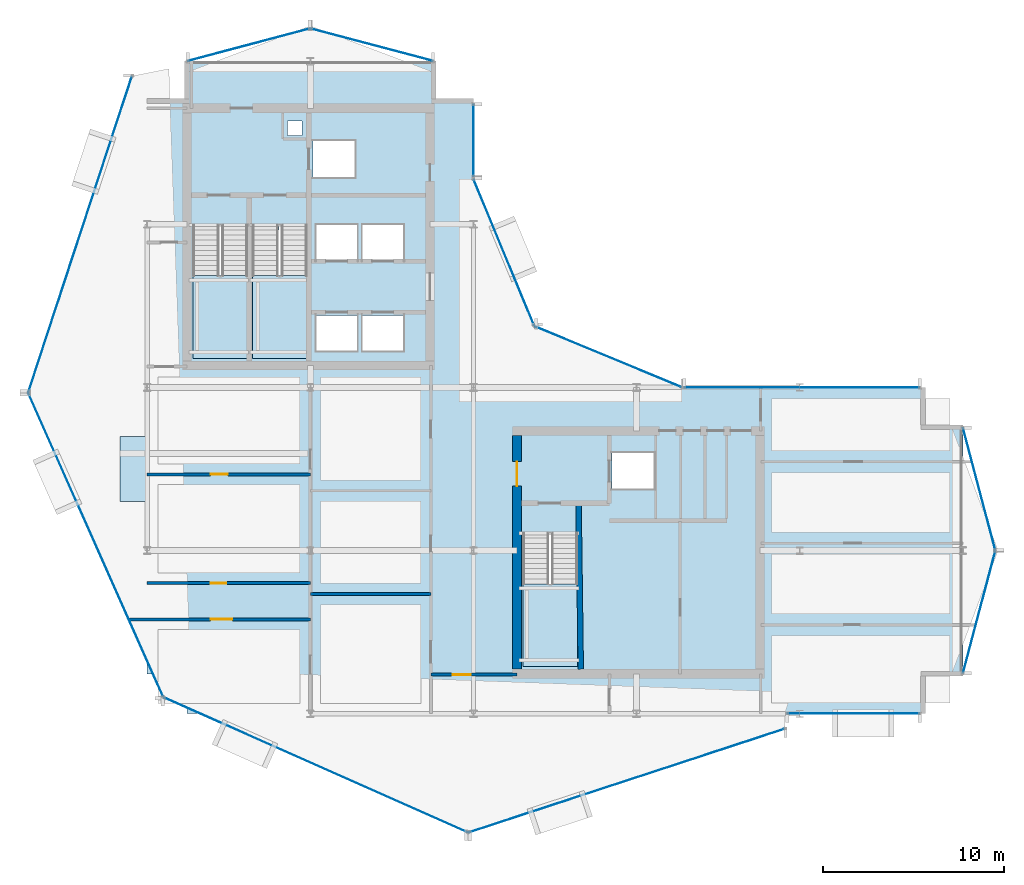
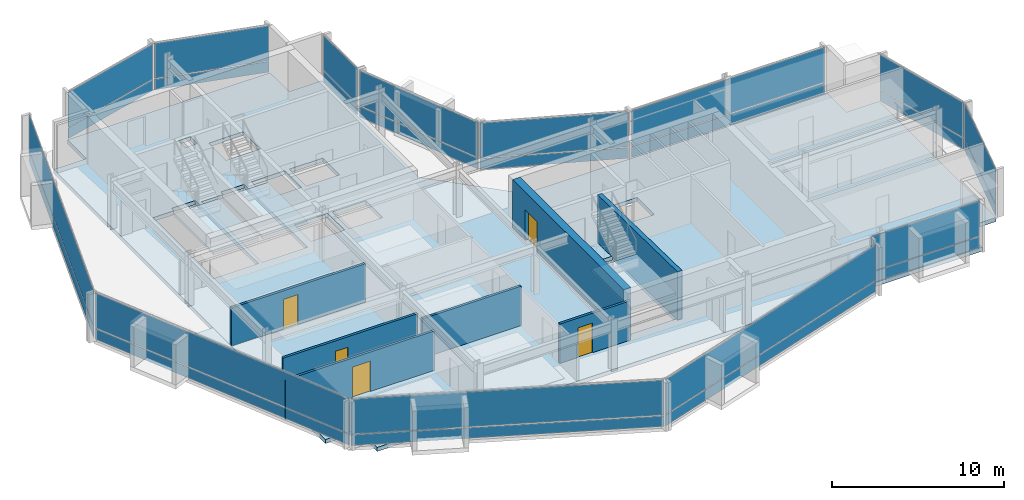
# One storey, part 19 of 28: 26 plates, 7 walls, 5 doors, 5 slabs, 5 openings, 16 elements without a shape of their own.
"""IFC4 building model written with IfcOpenShell, lengths in metres."""

from ifc_helpers import new_model, si_unit, direction, frame, frame_2d, origin, origin_2d, place, context, subcontext, project, spatial, polyline, rectangle, outline, extrude, material, layer, layer_set, type_object, element, fill, aggregate, save


model = new_model("IFC4")

# Units and contexts
model_context = context("Model", 3, precision=1e-05, world=origin(), true_north=direction((0.0, 1.0)))
body_context = subcontext(model_context, "Body", "Model", "MODEL_VIEW")
ifc_project = project(units=[si_unit("LENGTHUNIT", "METRE"), si_unit("AREAUNIT", "SQUARE_METRE"), si_unit("VOLUMEUNIT", "CUBIC_METRE"), si_unit("PLANEANGLEUNIT", "RADIAN"), si_unit("MASSUNIT", "GRAM", prefix="KILO")], contexts=[model_context])

# Site, building, storey
site_placement = place(None, origin())
site = spatial("IfcSite", under=ifc_project, at=site_placement, CompositionType="ELEMENT")
building_placement = place(site_placement, origin())
building = spatial("IfcBuilding", under=site, at=building_placement, Name="Solvaryn Broadcast Tower", CompositionType="ELEMENT")
storey_placement = place(building_placement, frame((0.0, 0.0, 213.60009765625)))
storey = spatial("IfcBuildingStorey", under=building, at=storey_placement, Name="L53", CompositionType="ELEMENT", Elevation=213.60009765625)

# Curtain wall, plates
ifc_material_1 = material(Name="Aluminium and Terracotta Unitised Curtain Wall", Category="masonry")
ifc_layer_1 = layer(ifc_material_1, 0.199951171875)
ifc_layer_set_1 = layer_set([ifc_layer_1], Name="CW-SYS2-LOWMID")
curtain_wall_type = type_object("IfcCurtainWallType", Name="CW-SYS2-LOWMID", PredefinedType="NOTDEFINED", material=ifc_layer_set_1)
curtain_wall_1_placement = place(storey_placement, origin())
curtain_wall_1 = element("IfcCurtainWall", 1, at=curtain_wall_1_placement, inside=storey, type_object=curtain_wall_type, Name="L53 Curtain Wall DR1", PredefinedType="NOTDEFINED")
ifc_material_2 = material(Name="Low-Iron Insulated Vision Glass", Category="glass")
ifc_layer_2 = layer(ifc_material_2, 0.035888671875)
ifc_layer_set_2 = layer_set([ifc_layer_2], Name="CW-PNL-VISION")
plate_type = type_object("IfcPlateType", Name="CW-PNL-VISION", PredefinedType="CURTAIN_PANEL", material=ifc_layer_set_2)
plate_1_placement = place(storey_placement, frame((5.298095703125, 35.444091796875, 0.06005859375), z_axis=(0.0, 0.0, 1.0), x_axis=(-0.311558717623, -0.950226902099, 0.0)))
plate_1 = element("IfcPlate", 2, at=plate_1_placement, type_object=plate_type, Name="CWS2 panel 1.1", PredefinedType="CURTAIN_PANEL", context=body_context, shape_type="SweptSolid", body=[
    extrude(rectangle(XDim=18.271484375, YDim=0.028076171875, at=origin_2d()), origin(), (0.0, 0.0, 1.0), 0.760009765625),
])
plate_2_placement = place(storey_placement, frame((5.298095703125, 35.444091796875, 0.8798828125), z_axis=(0.0, 0.0, 1.0), x_axis=(-0.311558717623, -0.950226902099, 0.0)))
plate_2 = element("IfcPlate", 3, at=plate_2_placement, type_object=plate_type, Name="CWS2 panel 1.2", PredefinedType="CURTAIN_PANEL", context=body_context, shape_type="SweptSolid", body=[
    extrude(rectangle(XDim=18.271484375, YDim=0.028076171875, at=origin_2d()), origin(), (0.0, 0.0, 1.0), 2.47998046875),
])
aggregate(curtain_wall_1, [plate_1, plate_2])

curtain_wall_2_placement = place(storey_placement, origin())
curtain_wall_2 = element("IfcCurtainWall", 4, at=curtain_wall_2_placement, inside=storey, type_object=curtain_wall_type, Name="L53 Curtain Wall DR2", PredefinedType="NOTDEFINED")
plate_3_placement = place(storey_placement, frame((6.16552734375, 18.302001953125, 0.06005859375), z_axis=(0.0, 0.0, 1.0), x_axis=(0.405901337237, -0.913916902365, 0.0)))
plate_3 = element("IfcPlate", 5, at=plate_3_placement, type_object=plate_type, Name="CWS2 panel 1.1", PredefinedType="CURTAIN_PANEL", context=body_context, shape_type="SweptSolid", body=[
    extrude(rectangle(XDim=18.271240234375, YDim=0.028076171875, at=origin_2d()), origin(), (0.0, 0.0, 1.0), 0.760009765625),
])
plate_4_placement = place(storey_placement, frame((6.16552734375, 18.302001953125, 0.8798828125), z_axis=(0.0, 0.0, 1.0), x_axis=(0.405901337237, -0.913916902365, 0.0)))
plate_4 = element("IfcPlate", 6, at=plate_4_placement, type_object=plate_type, Name="CWS2 panel 1.2", PredefinedType="CURTAIN_PANEL", context=body_context, shape_type="SweptSolid", body=[
    extrude(rectangle(XDim=18.271240234375, YDim=0.028076171875, at=origin_2d()), origin(), (0.0, 0.0, 1.0), 2.47998046875),
])
aggregate(curtain_wall_2, [plate_3, plate_4])

curtain_wall_3_placement = place(storey_placement, origin())
curtain_wall_3 = element("IfcCurtainWall", 7, at=curtain_wall_3_placement, inside=storey, type_object=curtain_wall_type, Name="L53 Curtain Wall DR3", PredefinedType="NOTDEFINED")
plate_5_placement = place(storey_placement, frame((18.302001953125, 6.16552734375, 0.06005859375), z_axis=(0.0, 0.0, 1.0), x_axis=(0.913916902365, -0.405901337237, 0.0)))
plate_5 = element("IfcPlate", 8, at=plate_5_placement, type_object=plate_type, Name="CWS2 panel 1.1", PredefinedType="CURTAIN_PANEL", context=body_context, shape_type="SweptSolid", body=[
    extrude(rectangle(XDim=18.271240234375, YDim=0.028076171875, at=origin_2d()), origin(), (0.0, 0.0, 1.0), 0.760009765625),
])
plate_6_placement = place(storey_placement, frame((18.302001953125, 6.16552734375, 0.8798828125), z_axis=(0.0, 0.0, 1.0), x_axis=(0.913916902365, -0.405901337237, 0.0)))
plate_6 = element("IfcPlate", 9, at=plate_6_placement, type_object=plate_type, Name="CWS2 panel 1.2", PredefinedType="CURTAIN_PANEL", context=body_context, shape_type="SweptSolid", body=[
    extrude(rectangle(XDim=18.271240234375, YDim=0.028076171875, at=origin_2d()), origin(), (0.0, 0.0, 1.0), 2.47998046875),
])
aggregate(curtain_wall_3, [plate_5, plate_6])

curtain_wall_4_placement = place(storey_placement, origin())
curtain_wall_4 = element("IfcCurtainWall", 10, at=curtain_wall_4_placement, inside=storey, type_object=curtain_wall_type, Name="L53 Curtain Wall DR4", PredefinedType="NOTDEFINED")
plate_7_placement = place(storey_placement, frame((35.444091796875, 5.298095703125, 0.06005859375), z_axis=(0.0, 0.0, 1.0), x_axis=(0.950226902099, 0.311558717623, 0.0)))
plate_7 = element("IfcPlate", 11, at=plate_7_placement, type_object=plate_type, Name="CWS2 panel 1.1", PredefinedType="CURTAIN_PANEL", context=body_context, shape_type="SweptSolid", body=[
    extrude(rectangle(XDim=18.271484375, YDim=0.028076171875, at=origin_2d()), origin(), (0.0, 0.0, 1.0), 0.760009765625),
])
plate_8_placement = place(storey_placement, frame((35.444091796875, 5.298095703125, 0.8798828125), z_axis=(0.0, 0.0, 1.0), x_axis=(0.950226902099, 0.311558717623, 0.0)))
plate_8 = element("IfcPlate", 12, at=plate_8_placement, type_object=plate_type, Name="CWS2 panel 1.2", PredefinedType="CURTAIN_PANEL", context=body_context, shape_type="SweptSolid", body=[
    extrude(rectangle(XDim=18.271484375, YDim=0.028076171875, at=origin_2d()), origin(), (0.0, 0.0, 1.0), 2.47998046875),
])
aggregate(curtain_wall_4, [plate_7, plate_8])

curtain_wall_5_placement = place(storey_placement, origin())
curtain_wall_5 = element("IfcCurtainWall", 13, at=curtain_wall_5_placement, inside=storey, type_object=curtain_wall_type, Name="L53 Curtain Wall IV", PredefinedType="NOTDEFINED")
plate_9_placement = place(storey_placement, frame((27.0, 40.625, 0.06005859375), z_axis=(0.0, 0.0, 1.0), x_axis=(0.0, -1.0, 0.0)))
plate_9 = element("IfcPlate", 14, at=plate_9_placement, type_object=plate_type, Name="CWS2 panel 1.1", PredefinedType="CURTAIN_PANEL", context=body_context, shape_type="SweptSolid", body=[
    extrude(rectangle(XDim=3.929931640625, YDim=0.028076171875, at=origin_2d()), origin(), (0.0, 0.0, 1.0), 0.760009765625),
])
plate_10_placement = place(storey_placement, frame((27.0, 40.625, 0.8798828125), z_axis=(0.0, 0.0, 1.0), x_axis=(0.0, -1.0, 0.0)))
plate_10 = element("IfcPlate", 15, at=plate_10_placement, type_object=plate_type, Name="CWS2 panel 1.2", PredefinedType="CURTAIN_PANEL", context=body_context, shape_type="SweptSolid", body=[
    extrude(rectangle(XDim=3.929931640625, YDim=0.028076171875, at=origin_2d()), origin(), (0.0, 0.0, 1.0), 2.47998046875),
])
aggregate(curtain_wall_5, [plate_9, plate_10])

curtain_wall_6_placement = place(storey_placement, origin())
curtain_wall_6 = element("IfcCurtainWall", 16, at=curtain_wall_6_placement, inside=storey, type_object=curtain_wall_type, Name="L53 Curtain Wall CN1", PredefinedType="NOTDEFINED")
plate_11_placement = place(storey_placement, frame((34.43408203125, 28.68408203125, 0.06005859375), z_axis=(0.0, 0.0, 1.0), x_axis=(-0.923894983957, 0.382646127145, 0.0)))
plate_11 = element("IfcPlate", 17, at=plate_11_placement, type_object=plate_type, Name="CWS2 panel 1.1", PredefinedType="CURTAIN_PANEL", context=body_context, shape_type="SweptSolid", body=[
    extrude(rectangle(XDim=8.681884765625, YDim=0.028076171875, at=origin_2d()), origin(), (0.0, 0.0, 1.0), 0.760009765625),
])
plate_12_placement = place(storey_placement, frame((34.43408203125, 28.68408203125, 0.8798828125), z_axis=(0.0, 0.0, 1.0), x_axis=(-0.923894983957, 0.382646127145, 0.0)))
plate_12 = element("IfcPlate", 18, at=plate_12_placement, type_object=plate_type, Name="CWS2 panel 1.2", PredefinedType="CURTAIN_PANEL", context=body_context, shape_type="SweptSolid", body=[
    extrude(rectangle(XDim=8.681884765625, YDim=0.028076171875, at=origin_2d()), origin(), (0.0, 0.0, 1.0), 2.47998046875),
])
aggregate(curtain_wall_6, [plate_11, plate_12])

curtain_wall_7_placement = place(storey_placement, origin())
curtain_wall_7 = element("IfcCurtainWall", 19, at=curtain_wall_7_placement, inside=storey, type_object=curtain_wall_type, Name="L53 Curtain Wall CN2", PredefinedType="NOTDEFINED")
plate_13_placement = place(storey_placement, frame((28.68408203125, 34.43408203125, 0.06005859375), z_axis=(0.0, 0.0, 1.0), x_axis=(-0.382646127145, 0.923894983957, 0.0)))
plate_13 = element("IfcPlate", 20, at=plate_13_placement, type_object=plate_type, Name="CWS2 panel 1.1", PredefinedType="CURTAIN_PANEL", context=body_context, shape_type="SweptSolid", body=[
    extrude(rectangle(XDim=8.681884765625, YDim=0.028076171875, at=origin_2d()), origin(), (0.0, 0.0, 1.0), 0.760009765625),
])
plate_14_placement = place(storey_placement, frame((28.68408203125, 34.43408203125, 0.8798828125), z_axis=(0.0, 0.0, 1.0), x_axis=(-0.382646127145, 0.923894983957, 0.0)))
plate_14 = element("IfcPlate", 21, at=plate_14_placement, type_object=plate_type, Name="CWS2 panel 1.2", PredefinedType="CURTAIN_PANEL", context=body_context, shape_type="SweptSolid", body=[
    extrude(rectangle(XDim=8.681884765625, YDim=0.028076171875, at=origin_2d()), origin(), (0.0, 0.0, 1.0), 2.47998046875),
])
aggregate(curtain_wall_7, [plate_13, plate_14])

curtain_wall_8_placement = place(storey_placement, origin())
curtain_wall_8 = element("IfcCurtainWall", 22, at=curtain_wall_8_placement, inside=storey, type_object=curtain_wall_type, Name="L53 Curtain Wall S2", PredefinedType="NOTDEFINED")
plate_15_placement = place(storey_placement, frame((47.966064453125, 9.0, 0.06005859375), z_axis=(0.0, 0.0, 1.0), x_axis=(1.0, 0.0, 0.0)))
plate_15 = element("IfcPlate", 23, at=plate_15_placement, type_object=plate_type, Name="CWS2 panel 1.1", PredefinedType="CURTAIN_PANEL", context=body_context, shape_type="SweptSolid", body=[
    extrude(rectangle(XDim=7.248046875, YDim=0.028076171875, at=origin_2d()), origin(), (0.0, 0.0, 1.0), 0.760009765625),
])
plate_16_placement = place(storey_placement, frame((47.966064453125, 9.0, 0.8798828125), z_axis=(0.0, 0.0, 1.0), x_axis=(1.0, 0.0, 0.0)))
plate_16 = element("IfcPlate", 24, at=plate_16_placement, type_object=plate_type, Name="CWS2 panel 1.2", PredefinedType="CURTAIN_PANEL", context=body_context, shape_type="SweptSolid", body=[
    extrude(rectangle(XDim=7.248046875, YDim=0.028076171875, at=origin_2d()), origin(), (0.0, 0.0, 1.0), 2.47998046875),
])
aggregate(curtain_wall_8, [plate_15, plate_16])

curtain_wall_9_placement = place(storey_placement, origin())
curtain_wall_9 = element("IfcCurtainWall", 25, at=curtain_wall_9_placement, inside=storey, type_object=curtain_wall_type, Name="L53 Curtain Wall NT1", PredefinedType="NOTDEFINED")
plate_17_placement = place(storey_placement, frame((21.39990234375, 45.89990234375, 0.06005859375), z_axis=(0.0, 0.0, 1.0), x_axis=(-0.966705227863, 0.25589256031, 0.0)))
plate_17 = element("IfcPlate", 26, at=plate_17_placement, type_object=plate_type, Name="CWS2 panel 1.1", PredefinedType="CURTAIN_PANEL", context=body_context, shape_type="SweptSolid", body=[
    extrude(rectangle(XDim=6.914306640625, YDim=0.028076171875, at=origin_2d()), origin(), (0.0, 0.0, 1.0), 0.760009765625),
])
plate_18_placement = place(storey_placement, frame((21.39990234375, 45.89990234375, 0.8798828125), z_axis=(0.0, 0.0, 1.0), x_axis=(-0.966705227863, 0.25589256031, 0.0)))
plate_18 = element("IfcPlate", 27, at=plate_18_placement, type_object=plate_type, Name="CWS2 panel 1.2", PredefinedType="CURTAIN_PANEL", context=body_context, shape_type="SweptSolid", body=[
    extrude(rectangle(XDim=6.914306640625, YDim=0.028076171875, at=origin_2d()), origin(), (0.0, 0.0, 1.0), 2.47998046875),
])
aggregate(curtain_wall_9, [plate_17, plate_18])

curtain_wall_10_placement = place(storey_placement, origin())
curtain_wall_10 = element("IfcCurtainWall", 28, at=curtain_wall_10_placement, inside=storey, type_object=curtain_wall_type, Name="L53 Curtain Wall NT2", PredefinedType="NOTDEFINED")
plate_19_placement = place(storey_placement, frame((14.60009765625, 45.89990234375, 0.06005859375), z_axis=(0.0, 0.0, 1.0), x_axis=(-0.966705227863, -0.25589256031, 0.0)))
plate_19 = element("IfcPlate", 29, at=plate_19_placement, type_object=plate_type, Name="CWS2 panel 1.1", PredefinedType="CURTAIN_PANEL", context=body_context, shape_type="SweptSolid", body=[
    extrude(rectangle(XDim=6.914306640625, YDim=0.028076171875, at=origin_2d()), origin(), (0.0, 0.0, 1.0), 0.760009765625),
])
plate_20_placement = place(storey_placement, frame((14.60009765625, 45.89990234375, 0.8798828125), z_axis=(0.0, 0.0, 1.0), x_axis=(-0.966705227863, -0.25589256031, 0.0)))
plate_20 = element("IfcPlate", 30, at=plate_20_placement, type_object=plate_type, Name="CWS2 panel 1.2", PredefinedType="CURTAIN_PANEL", context=body_context, shape_type="SweptSolid", body=[
    extrude(rectangle(XDim=6.914306640625, YDim=0.028076171875, at=origin_2d()), origin(), (0.0, 0.0, 1.0), 2.47998046875),
])
aggregate(curtain_wall_10, [plate_19, plate_20])

curtain_wall_11_placement = place(storey_placement, origin())
curtain_wall_11 = element("IfcCurtainWall", 31, at=curtain_wall_11_placement, inside=storey, type_object=curtain_wall_type, Name="L53 Curtain Wall ET1", PredefinedType="NOTDEFINED")
plate_21_placement = place(storey_placement, frame((54.89990234375, 21.39990234375, 0.06005859375), z_axis=(0.0, 0.0, 1.0), x_axis=(0.25589256031, -0.966705227863, 0.0)))
plate_21 = element("IfcPlate", 32, at=plate_21_placement, type_object=plate_type, Name="CWS2 panel 1.1", PredefinedType="CURTAIN_PANEL", context=body_context, shape_type="SweptSolid", body=[
    extrude(rectangle(XDim=6.914306640625, YDim=0.028076171875, at=origin_2d()), origin(), (0.0, 0.0, 1.0), 0.760009765625),
])
plate_22_placement = place(storey_placement, frame((54.89990234375, 21.39990234375, 0.8798828125), z_axis=(0.0, 0.0, 1.0), x_axis=(0.25589256031, -0.966705227863, 0.0)))
plate_22 = element("IfcPlate", 33, at=plate_22_placement, type_object=plate_type, Name="CWS2 panel 1.2", PredefinedType="CURTAIN_PANEL", context=body_context, shape_type="SweptSolid", body=[
    extrude(rectangle(XDim=6.914306640625, YDim=0.028076171875, at=origin_2d()), origin(), (0.0, 0.0, 1.0), 2.47998046875),
])
aggregate(curtain_wall_11, [plate_21, plate_22])

curtain_wall_12_placement = place(storey_placement, origin())
curtain_wall_12 = element("IfcCurtainWall", 34, at=curtain_wall_12_placement, inside=storey, type_object=curtain_wall_type, Name="L53 Curtain Wall ET2", PredefinedType="NOTDEFINED")
plate_23_placement = place(storey_placement, frame((54.89990234375, 14.60009765625, 0.06005859375), z_axis=(0.0, 0.0, 1.0), x_axis=(-0.25589256031, -0.966705227863, 0.0)))
plate_23 = element("IfcPlate", 35, at=plate_23_placement, type_object=plate_type, Name="CWS2 panel 1.1", PredefinedType="CURTAIN_PANEL", context=body_context, shape_type="SweptSolid", body=[
    extrude(rectangle(XDim=6.914306640625, YDim=0.028076171875, at=origin_2d()), origin(), (0.0, 0.0, 1.0), 0.760009765625),
])
plate_24_placement = place(storey_placement, frame((54.89990234375, 14.60009765625, 0.8798828125), z_axis=(0.0, 0.0, 1.0), x_axis=(-0.25589256031, -0.966705227863, 0.0)))
plate_24 = element("IfcPlate", 36, at=plate_24_placement, type_object=plate_type, Name="CWS2 panel 1.2", PredefinedType="CURTAIN_PANEL", context=body_context, shape_type="SweptSolid", body=[
    extrude(rectangle(XDim=6.914306640625, YDim=0.028076171875, at=origin_2d()), origin(), (0.0, 0.0, 1.0), 2.47998046875),
])
aggregate(curtain_wall_12, [plate_23, plate_24])

curtain_wall_13_placement = place(storey_placement, origin())
curtain_wall_13 = element("IfcCurtainWall", 37, at=curtain_wall_13_placement, inside=storey, type_object=curtain_wall_type, Name="L53 Curtain Wall IH", PredefinedType="NOTDEFINED")
plate_25_placement = place(storey_placement, frame((45.125, 27.0, 0.06005859375), z_axis=(0.0, 0.0, 1.0), x_axis=(1.0, 0.0, 0.0)))
plate_25 = element("IfcPlate", 38, at=plate_25_placement, type_object=plate_type, Name="CWS2 panel 1.1", PredefinedType="CURTAIN_PANEL", context=body_context, shape_type="SweptSolid", body=[
    extrude(rectangle(XDim=12.929931640625, YDim=0.028076171875, at=origin_2d()), origin(), (0.0, 0.0, 1.0), 0.760009765625),
])
plate_26_placement = place(storey_placement, frame((45.125, 27.0, 0.8798828125), z_axis=(0.0, 0.0, 1.0), x_axis=(1.0, 0.0, 0.0)))
plate_26 = element("IfcPlate", 39, at=plate_26_placement, type_object=plate_type, Name="CWS2 panel 1.2", PredefinedType="CURTAIN_PANEL", context=body_context, shape_type="SweptSolid", body=[
    extrude(rectangle(XDim=12.929931640625, YDim=0.028076171875, at=origin_2d()), origin(), (0.0, 0.0, 1.0), 2.47998046875),
])
aggregate(curtain_wall_13, [plate_25, plate_26])

# Slab
ifc_material_3 = material(Name="Concrete f'c 60 MPa", Category="concrete")
ifc_layer_3 = layer(ifc_material_3, 0.2099609375)
ifc_layer_set_3 = layer_set([ifc_layer_3], Name="SL-BAYBOX-210")
slab_type_1 = type_object("IfcSlabType", Name="SL-BAYBOX-210", PredefinedType="FLOOR", material=ifc_layer_set_3)
slab_1_placement = place(storey_placement, frame((0.0, 0.0, -0.210205078125)))
element("IfcSlab", 40, at=slab_1_placement, inside=storey, type_object=slab_type_1, Name="L53 Projecting Bay-Box Slab 1", PredefinedType="FLOOR", context=body_context, shape_type="SweptSolid", body=[
    extrude(outline(polyline([(7.5, 20.699951171875), (9.0, 20.699951171875), (9.0, 24.300048828125), (7.5, 24.300048828125), (7.5, 20.699951171875)])), origin(), (0.0, 0.0, 1.0), 0.210205078125),
])

# Stair, slab
ifc_material_4 = material(Name="Concrete f'c 60 MPa", Category="concrete")
stair_type = type_object("IfcStairType", Name="ST-CORE", PredefinedType="HALF_TURN_STAIR", material=ifc_material_4)
stair_1_placement = place(storey_placement, origin())
stair_1 = element("IfcStair", 41, at=stair_1_placement, inside=storey, type_object=stair_type, Name="L53 ST1", PredefinedType="HALF_TURN_STAIR")
ifc_material_5 = material(Name="Concrete f'c 60 MPa", Category="concrete")
ifc_layer_4 = layer(ifc_material_5, 0.199951171875)
ifc_layer_set_4 = layer_set([ifc_layer_4], Name="SL-LANDING-200")
slab_type_2 = type_object("IfcSlabType", Name="SL-LANDING-200", PredefinedType="LANDING", material=ifc_layer_set_4)
slab_2_placement = place(storey_placement, frame((0.0, 0.0, 1.64990234375)))
slab_2 = element("IfcSlab", 42, at=slab_2_placement, type_object=slab_type_2, Name="ST1 landing 1", PredefinedType="LANDING", context=body_context, shape_type="SweptSolid", body=[
    extrude(outline(polyline([(11.52001953125, 33.159912109375), (11.52001953125, 28.60009765625), (14.550048828125, 28.60009765625), (14.550048828125, 33.159912109375), (11.52001953125, 33.159912109375)])), origin(), (0.0, 0.0, 1.0), 0.199951171875),
])
aggregate(stair_1, [slab_2])

stair_2_placement = place(storey_placement, origin())
stair_2 = element("IfcStair", 43, at=stair_2_placement, inside=storey, type_object=stair_type, Name="L53 ST2", PredefinedType="HALF_TURN_STAIR")
slab_3_placement = place(storey_placement, frame((0.0, 0.0, 1.64990234375)))
slab_3 = element("IfcSlab", 44, at=slab_3_placement, type_object=slab_type_2, Name="ST2 landing 1", PredefinedType="LANDING", context=body_context, shape_type="SweptSolid", body=[
    extrude(outline(polyline([(14.800048828125, 33.159912109375), (14.800048828125, 28.60009765625), (17.830078125, 28.60009765625), (17.830078125, 33.159912109375), (14.800048828125, 33.159912109375)])), origin(), (0.0, 0.0, 1.0), 0.199951171875),
])
aggregate(stair_2, [slab_3])

stair_3_placement = place(storey_placement, origin())
stair_3 = element("IfcStair", 45, at=stair_3_placement, inside=storey, type_object=stair_type, Name="L53 ST3", PredefinedType="HALF_TURN_STAIR")
slab_4_placement = place(storey_placement, frame((0.0, 0.0, 1.64990234375)))
slab_4 = element("IfcSlab", 46, at=slab_4_placement, type_object=slab_type_2, Name="ST3 landing 1", PredefinedType="LANDING", context=body_context, shape_type="SweptSolid", body=[
    extrude(outline(polyline([(29.719970703125, 16.159912109375), (29.719970703125, 11.60009765625), (32.75, 11.60009765625), (32.75, 16.159912109375), (29.719970703125, 16.159912109375)])), origin(), (0.0, 0.0, 1.0), 0.199951171875),
])
aggregate(stair_3, [slab_4])

# Slab
ifc_material_6 = material(Name="Concrete f'c 60 MPa", Category="concrete")
ifc_layer_5 = layer(ifc_material_6, 0.280029296875)
ifc_layer_set_5 = layer_set([ifc_layer_5], Name="SL-TWR-280")
slab_type_3 = type_object("IfcSlabType", Name="SL-TWR-280", PredefinedType="FLOOR", material=ifc_layer_set_5)
slab_5_placement = place(storey_placement, frame((0.0, 0.0, -0.280029296875)))
element("IfcSlab", 47, at=slab_5_placement, inside=storey, type_object=slab_type_3, Name="L53 Structural Floor Slab", PredefinedType="FLOOR", context=body_context, shape_type="SweptSolid", body=[
    extrude(outline(polyline([(11.199951171875, 9.0), (51.800048828125, 9.0), (51.800048828125, 11.199951171875), (54.0, 11.199951171875), (54.0, 24.800048828125), (51.800048828125, 24.800048828125), (51.800048828125, 27.0), (31.5, 27.0), (27.0, 31.5), (27.0, 42.800048828125), (24.800048828125, 42.800048828125), (24.800048828125, 45.0), (11.199951171875, 45.0), (11.199951171875, 42.800048828125), (9.0, 42.800048828125), (9.0, 11.199951171875), (11.199951171875, 11.199951171875), (11.199951171875, 9.0)]), holes=[polyline([(11.52001953125, 28.60009765625), (14.550048828125, 28.60009765625), (14.550048828125, 35.9599609375), (12.97998046875, 35.9599609375), (12.97998046875, 35.679931640625), (11.52001953125, 35.679931640625), (11.52001953125, 28.60009765625)]), polyline([(14.800048828125, 28.60009765625), (17.830078125, 28.60009765625), (17.830078125, 35.9599609375), (16.260009765625, 35.9599609375), (16.260009765625, 35.679931640625), (14.800048828125, 35.679931640625), (14.800048828125, 28.60009765625)]), polyline([(29.719970703125, 11.60009765625), (32.75, 11.60009765625), (32.75, 18.9599609375), (31.179931640625, 18.9599609375), (31.179931640625, 18.679931640625), (29.719970703125, 18.679931640625), (29.719970703125, 11.60009765625)]), polyline([(18.14990234375, 38.60009765625), (20.449951171875, 38.60009765625), (20.449951171875, 40.60009765625), (18.14990234375, 40.60009765625), (18.14990234375, 38.60009765625)]), polyline([(18.324951171875, 29.02490234375), (20.574951171875, 29.02490234375), (20.574951171875, 30.97509765625), (18.324951171875, 30.97509765625), (18.324951171875, 29.02490234375)]), polyline([(20.875, 29.02490234375), (23.125, 29.02490234375), (23.125, 30.97509765625), (20.875, 30.97509765625), (20.875, 29.02490234375)]), polyline([(18.324951171875, 34.02490234375), (20.574951171875, 34.02490234375), (20.574951171875, 35.97509765625), (18.324951171875, 35.97509765625), (18.324951171875, 34.02490234375)]), polyline([(20.875, 34.02490234375), (23.125, 34.02490234375), (23.125, 35.97509765625), (20.875, 35.97509765625), (20.875, 34.02490234375)]), polyline([(34.64990234375, 21.39990234375), (36.949951171875, 21.39990234375), (36.949951171875, 23.39990234375), (34.64990234375, 23.39990234375), (34.64990234375, 21.39990234375)]), polyline([(16.75, 40.89990234375), (17.550048828125, 40.89990234375), (17.550048828125, 41.699951171875), (16.75, 41.699951171875), (16.75, 40.89990234375)])]), origin(), (0.0, 0.0, 1.0), 0.280029296875),
])

# Wall, opening, door
ifc_material_7 = material(Name="Concrete f'c 70 MPa", Category="concrete")
ifc_layer_6 = layer(ifc_material_7, 0.5)
ifc_layer_set_6 = layer_set([ifc_layer_6], Name="CW-SHEAR-500")
wall_type_1 = type_object("IfcWallType", Name="CW-SHEAR-500", PredefinedType="SHEAR", material=ifc_layer_set_6)
wall_1_placement = place(storey_placement, frame((29.39990234375, 24.35009765625, 0.0), z_axis=(0.0, 0.0, 1.0), x_axis=(0.0, -1.0, 0.0)))
wall_1 = element("IfcWall", 48, at=wall_1_placement, inside=storey, type_object=wall_type_1, Name="L53 East Core West Shear Wall", PredefinedType="SHEAR", context=body_context, shape_type="SweptSolid", body=[
    extrude(rectangle(XDim=12.900146484375, YDim=0.5, at=frame_2d((6.4501953125, 0.0))), origin(), (0.0, 0.0, 1.0), 3.419921875),
])
opening_1_placement = place(wall_1_placement, frame((1.449951171875, 0.0, 0.0)))
opening_1 = element("IfcOpeningElement", 49, at=opening_1_placement, cuts=wall_1, Name="Opening FD90B", PredefinedType="OPENING", context=body_context, shape_type="SweptSolid", body=[
    extrude(rectangle(XDim=1.35009765625, YDim=2.14990234375, at=frame_2d((0.675048828125, 1.074951171875))), frame((0.0, 0.260009765625, 0.0), z_axis=(0.0, -1.0, 0.0), x_axis=(1.0, 0.0, 0.0)), (0.0, 0.0, 1.0), 0.52001953125),
])
ifc_material_8 = material(Name="Flush Acoustic Steel and Timber Door Assembly", Category="steel")
door_type_1 = type_object("IfcDoorType", Name="FD90-LOBBY-1350X2150", OperationType="NOTDEFINED", PredefinedType="DOOR", material=ifc_material_8)
door_1_placement = place(opening_1_placement, origin())
door_1 = element("IfcDoor", 50, at=door_1_placement, inside=storey, type_object=door_type_1, Name="L53 East FSAE Lobby Door", OperationType="SINGLE_SWING_RIGHT", OverallHeight=2.14990234375, OverallWidth=1.35009765625, PredefinedType="DOOR", context=body_context, shape_type="SweptSolid", body=[
    extrude(rectangle(XDim=1.35009765625, YDim=2.14990234375, at=frame_2d((0.675048828125, 1.074951171875))), frame((0.0, 0.02490234375, 0.0), z_axis=(0.0, -1.0, 0.0), x_axis=(1.0, 0.0, 0.0)), (0.0, 0.0, 1.0), 0.050048828125),
])
fill(opening_1, door_1)

# Wall
ifc_material_9 = material(Name="Metal-Stud Gypsum Office Partition")
ifc_layer_7 = layer(ifc_material_9, 0.159912109375)
ifc_layer_set_7 = layer_set([ifc_layer_7], Name="IW-PART-160")
wall_type_2 = type_object("IfcWallType", Name="IW-PART-160", PredefinedType="PARTITIONING", material=ifc_layer_set_7)
wall_2_placement = place(storey_placement, frame((18.0, 15.60009765625, 0.0), z_axis=(0.0, 0.0, 1.0), x_axis=(1.0, 0.0, 0.0)))
element("IfcWall", 51, at=wall_2_placement, inside=storey, type_object=wall_type_2, Name="L53 Interior Partition IW-L53-SWE-H1", PredefinedType="PARTITIONING", context=body_context, shape_type="SweptSolid", body=[
    extrude(rectangle(XDim=6.64990234375, YDim=0.159912109375, at=frame_2d((3.324951171875, 0.0))), origin(), (0.0, 0.0, 1.0), 2.788818359375),
])

# Wall, opening, door
wall_3_placement = place(storey_placement, frame((7.987060546875, 14.199951171875, 0.0), z_axis=(0.0, 0.0, 1.0), x_axis=(1.0, 0.0, 0.0)))
wall_3 = element("IfcWall", 52, at=wall_3_placement, inside=storey, type_object=wall_type_2, Name="L53 Interior Partition IW-L53-SWW-H1", PredefinedType="PARTITIONING", context=body_context, shape_type="SweptSolid", body=[
    extrude(rectangle(XDim=10.012939453125, YDim=0.159912109375, at=frame_2d((5.00634765625, 0.0))), origin(), (0.0, 0.0, 1.0), 2.7919921875),
])
opening_2_placement = place(wall_3_placement, frame((4.512939453125, 0.0, 0.0)))
opening_2 = element("IfcOpeningElement", 53, at=opening_2_placement, cuts=wall_3, Name="Opening ID04", PredefinedType="OPENING", context=body_context, shape_type="SweptSolid", body=[
    extrude(rectangle(XDim=1.199951171875, YDim=2.14990234375, at=frame_2d((0.60009765625, 1.074951171875))), frame((0.0, 0.090087890625, 0.0), z_axis=(0.0, -1.0, 0.0), x_axis=(1.0, 0.0, 0.0)), (0.0, 0.0, 1.0), 0.179931640625),
])
ifc_material_10 = material(Name="Flush Acoustic Steel and Timber Door Assembly", Category="steel")
door_type_2 = type_object("IfcDoorType", Name="ID-04-1200X2150", OperationType="NOTDEFINED", PredefinedType="DOOR", material=ifc_material_10)
door_2_placement = place(opening_2_placement, origin())
door_2 = element("IfcDoor", 54, at=door_2_placement, inside=storey, type_object=door_type_2, Name="L53 Door DR-L53-SWW-1", OperationType="SINGLE_SWING_RIGHT", OverallHeight=2.14990234375, OverallWidth=1.199951171875, PredefinedType="DOOR", context=body_context, shape_type="SweptSolid", body=[
    extrude(rectangle(XDim=1.199951171875, YDim=2.14990234375, at=frame_2d((0.60009765625, 1.074951171875))), frame((0.0, 0.02490234375, 0.0), z_axis=(0.0, -1.0, 0.0), x_axis=(1.0, 0.0, 0.0)), (0.0, 0.0, 1.0), 0.050048828125),
])
fill(opening_2, door_2)

wall_4_placement = place(storey_placement, frame((9.0, 16.199951171875, 0.0), z_axis=(0.0, 0.0, 1.0), x_axis=(1.0, 0.0, 0.0)))
wall_4 = element("IfcWall", 55, at=wall_4_placement, inside=storey, type_object=wall_type_2, Name="L53 Interior Partition IW-L53-SWW-H2", PredefinedType="PARTITIONING", context=body_context, shape_type="SweptSolid", body=[
    extrude(rectangle(XDim=9.0, YDim=0.159912109375, at=frame_2d((4.5, 0.0))), origin(), (0.0, 0.0, 1.0), 2.7919921875),
])
opening_3_placement = place(wall_4_placement, frame((3.5, 0.0, 0.0)))
opening_3 = element("IfcOpeningElement", 56, at=opening_3_placement, cuts=wall_4, Name="Opening ID07", PredefinedType="OPENING", context=body_context, shape_type="SweptSolid", body=[
    extrude(rectangle(XDim=0.860107421875, YDim=2.050048828125, at=frame_2d((0.43017578125, 1.02490234375))), frame((0.0, 0.090087890625, 0.0), z_axis=(0.0, -1.0, 0.0), x_axis=(1.0, 0.0, 0.0)), (0.0, 0.0, 1.0), 0.179931640625),
])
ifc_material_11 = material(Name="Flush Acoustic Steel and Timber Door Assembly", Category="steel")
door_type_3 = type_object("IfcDoorType", Name="ID-07-860X2050", OperationType="NOTDEFINED", PredefinedType="DOOR", material=ifc_material_11)
door_3_placement = place(opening_3_placement, origin())
door_3 = element("IfcDoor", 57, at=door_3_placement, inside=storey, type_object=door_type_3, Name="L53 Door DR-L53-SWW-2", OperationType="SINGLE_SWING_LEFT", OverallHeight=2.050048828125, OverallWidth=0.860107421875, PredefinedType="DOOR", context=body_context, shape_type="SweptSolid", body=[
    extrude(rectangle(XDim=0.860107421875, YDim=2.050048828125, at=frame_2d((0.43017578125, 1.02490234375))), frame((0.0, 0.02490234375, 0.0), z_axis=(0.0, -1.0, 0.0), x_axis=(1.0, 0.0, 0.0)), (0.0, 0.0, 1.0), 0.050048828125),
])
fill(opening_3, door_3)

wall_5_placement = place(storey_placement, frame((9.0, 22.199951171875, 0.0), z_axis=(0.0, 0.0, 1.0), x_axis=(1.0, 0.0, 0.0)))
wall_5 = element("IfcWall", 58, at=wall_5_placement, inside=storey, type_object=wall_type_2, Name="L53 Interior Partition IW-L53-SWW-H3", PredefinedType="PARTITIONING", context=body_context, shape_type="SweptSolid", body=[
    extrude(rectangle(XDim=9.0, YDim=0.159912109375, at=frame_2d((4.5, 0.0))), origin(), (0.0, 0.0, 1.0), 2.706787109375),
])
opening_4_placement = place(wall_5_placement, frame((3.5, 0.0, 0.0)))
opening_4 = element("IfcOpeningElement", 59, at=opening_4_placement, cuts=wall_5, Name="Opening ID01", PredefinedType="OPENING", context=body_context, shape_type="SweptSolid", body=[
    extrude(rectangle(XDim=0.949951171875, YDim=2.10009765625, at=frame_2d((0.47509765625, 1.050048828125))), frame((0.0, 0.090087890625, 0.0), z_axis=(0.0, -1.0, 0.0), x_axis=(1.0, 0.0, 0.0)), (0.0, 0.0, 1.0), 0.179931640625),
])
ifc_material_12 = material(Name="Flush Acoustic Steel and Timber Door Assembly", Category="steel")
door_type_4 = type_object("IfcDoorType", Name="ID-01-950X2100", OperationType="NOTDEFINED", PredefinedType="DOOR", material=ifc_material_12)
door_4_placement = place(opening_4_placement, origin())
door_4 = element("IfcDoor", 60, at=door_4_placement, inside=storey, type_object=door_type_4, Name="L53 Door DR-L53-SWW-3", OperationType="SINGLE_SWING_RIGHT", OverallHeight=2.10009765625, OverallWidth=0.949951171875, PredefinedType="DOOR", context=body_context, shape_type="SweptSolid", body=[
    extrude(rectangle(XDim=0.949951171875, YDim=2.10009765625, at=frame_2d((0.47509765625, 1.050048828125))), frame((0.0, 0.02490234375, 0.0), z_axis=(0.0, -1.0, 0.0), x_axis=(1.0, 0.0, 0.0)), (0.0, 0.0, 1.0), 0.050048828125),
])
fill(opening_4, door_4)

wall_6_placement = place(storey_placement, frame((24.64990234375, 11.14990234375, 0.0), z_axis=(0.0, 0.0, 1.0), x_axis=(1.0, 0.0, 0.0)))
wall_6 = element("IfcWall", 61, at=wall_6_placement, inside=storey, type_object=wall_type_2, Name="L53 Interior Partition IW-L53-SC-N", PredefinedType="PARTITIONING", context=body_context, shape_type="SweptSolid", body=[
    extrude(rectangle(XDim=4.75, YDim=0.159912109375, at=frame_2d((2.375, 0.0))), origin(), (0.0, 0.0, 1.0), 2.7919921875),
])
opening_5_placement = place(wall_6_placement, frame((1.199951171875, 0.0, 0.0)))
opening_5 = element("IfcOpeningElement", 62, at=opening_5_placement, cuts=wall_6, Name="Opening ID02", PredefinedType="OPENING", context=body_context, shape_type="SweptSolid", body=[
    extrude(rectangle(XDim=1.0, YDim=2.10009765625, at=frame_2d((0.5, 1.050048828125))), frame((0.0, 0.090087890625, 0.0), z_axis=(0.0, -1.0, 0.0), x_axis=(1.0, 0.0, 0.0)), (0.0, 0.0, 1.0), 0.179931640625),
])
ifc_material_13 = material(Name="Flush Acoustic Steel and Timber Door Assembly", Category="steel")
door_type_5 = type_object("IfcDoorType", Name="ID-02-1000X2100", OperationType="NOTDEFINED", PredefinedType="DOOR", material=ifc_material_13)
door_5_placement = place(opening_5_placement, origin())
door_5 = element("IfcDoor", 63, at=door_5_placement, inside=storey, type_object=door_type_5, Name="L53 Door DR-L53-SC0", OperationType="SINGLE_SWING_LEFT", OverallHeight=2.10009765625, OverallWidth=1.0, PredefinedType="DOOR", context=body_context, shape_type="SweptSolid", body=[
    extrude(rectangle(XDim=1.0, YDim=2.10009765625, at=frame_2d((0.5, 1.050048828125))), frame((0.0, 0.02490234375, 0.0), z_axis=(0.0, -1.0, 0.0), x_axis=(1.0, 0.0, 0.0)), (0.0, 0.0, 1.0), 0.050048828125),
])
fill(opening_5, door_5)

# Wall
ifc_material_14 = material(Name="Concrete f'c 70 MPa", Category="concrete")
ifc_layer_8 = layer(ifc_material_14, 0.300048828125)
ifc_layer_set_8 = layer_set([ifc_layer_8], Name="SW-SHAFT-300")
wall_type_3 = type_object("IfcWallType", Name="SW-SHAFT-300", PredefinedType="SHEAR", material=ifc_layer_set_8)
wall_7_placement = place(storey_placement, frame((32.919921875, 11.449951171875, 0.0), z_axis=(0.0, 0.0, 1.0), x_axis=(-0.013171578211, 0.999913251001, 0.0)))
element("IfcWall", 64, at=wall_7_placement, inside=storey, type_object=wall_type_3, Name="L53 Stair 3 East Shear Wall", PredefinedType="SHEAR", context=body_context, shape_type="SweptSolid", body=[
    extrude(rectangle(XDim=9.100830078125, YDim=0.300048828125, at=frame_2d((4.55029296875, 0.0))), origin(), (0.0, 0.0, 1.0), 3.419921875),
])

save(model, "model.ifc")
